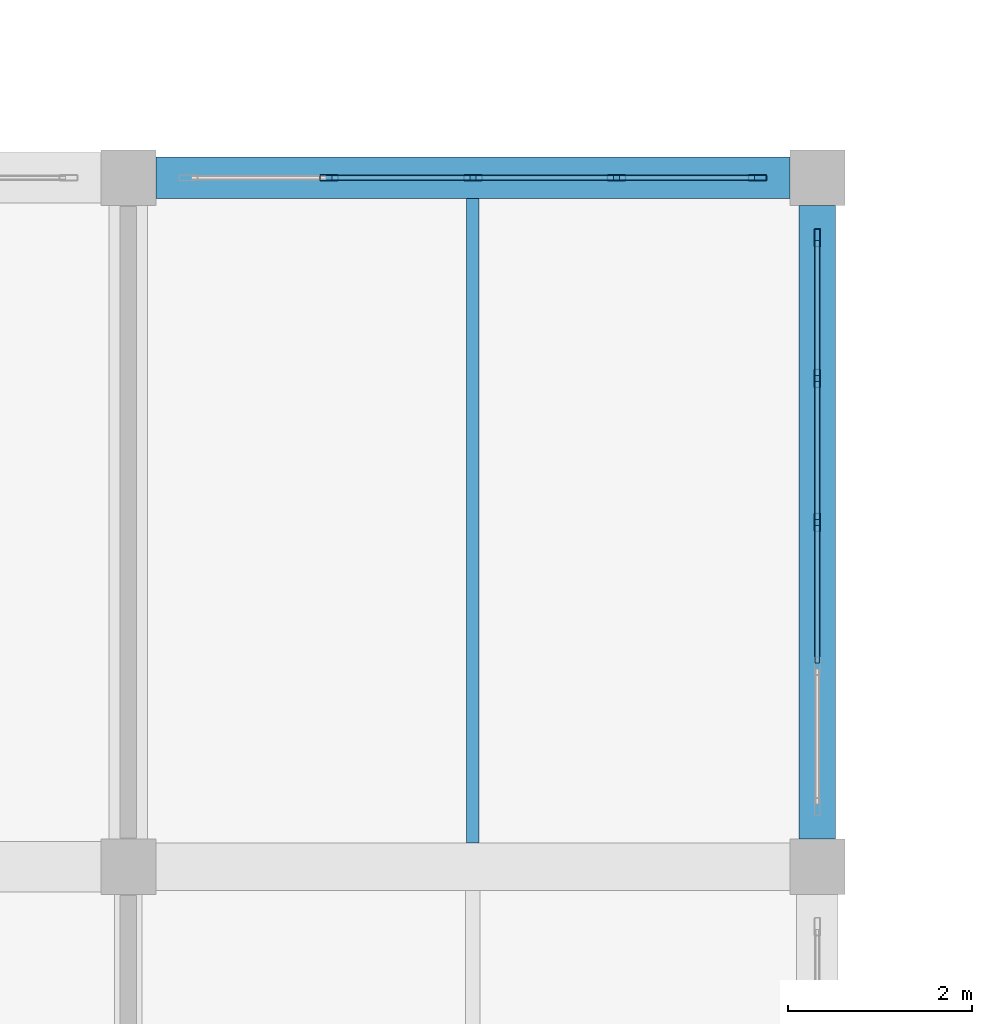
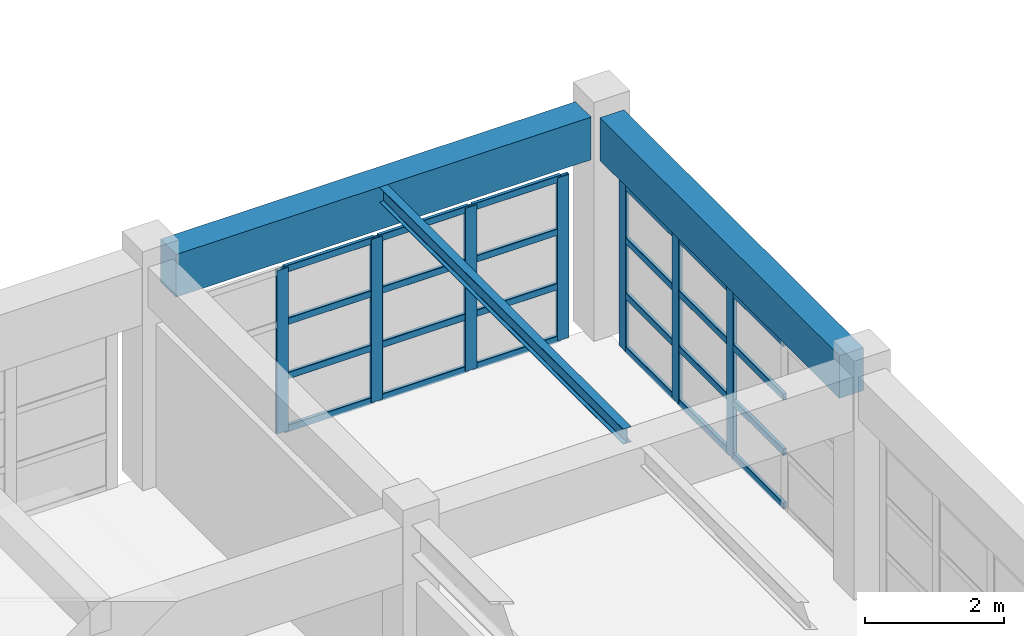
# One storey, part 26 of 124: 31 members, 3 beams, 2 elements without a shape of their own.
"""IFC4 building model written with IfcOpenShell, lengths in metres."""

from ifc_helpers import new_model, si_unit, direction, frame, origin, origin_2d, place, context, subcontext, project, spatial, rectangle, hollow_rectangle, i_section, extrude, material, material_profile, profile_set, type_object, element, aggregate, save


model = new_model("IFC4")

# Units and contexts
model_context = context("Model", 3, precision=1e-05, world=origin(), true_north=direction((0.0, 1.0)))
body_context = subcontext(model_context, "Body", "Model", "MODEL_VIEW")
ifc_project = project(units=[si_unit("LENGTHUNIT", "METRE"), si_unit("AREAUNIT", "SQUARE_METRE"), si_unit("VOLUMEUNIT", "CUBIC_METRE"), si_unit("PLANEANGLEUNIT", "RADIAN"), si_unit("MASSUNIT", "GRAM", prefix="KILO")], contexts=[model_context])

# Site, building, storey
site_placement = place(None, origin())
site = spatial("IfcSite", under=ifc_project, at=site_placement, CompositionType="ELEMENT")
building_placement = place(site_placement, origin())
building = spatial("IfcBuilding", under=site, at=building_placement, Name="Qasida Concert Hall", CompositionType="ELEMENT")
storey_placement = place(building_placement, frame((0.0, 0.0, 9.0)))
storey = spatial("IfcBuildingStorey", under=building, at=storey_placement, Name="L02", CompositionType="ELEMENT", Elevation=9.0)

# Beams
ifc_material_1 = material(Name="Steel S355J2", Category="steel")
ifc_material_profile_1 = material_profile(ifc_material_1, i_section(OverallWidth=0.135009765625, OverallDepth=0.27001953125, WebThickness=0.006591796875, FlangeThickness=0.01025390625, FilletRadius=0.014892578125, at=origin_2d()), Name="IPE 270")
ifc_profile_set_1 = profile_set([ifc_material_profile_1], Name="Steel S355J2")
beam_type_1 = type_object("IfcBeamType", Name="BM-J6", PredefinedType="JOIST", material=ifc_profile_set_1)
beam_1_placement = place(storey_placement, frame((33.75, 45.260009765625, 3.764892578125), z_axis=(0.0, 1.0, 0.0), x_axis=(-1.0, 0.0, 0.0)))
element("IfcBeam", 1, at=beam_1_placement, inside=storey, type_object=beam_type_1, Name="L02 secondary joist 1349", PredefinedType="JOIST", context=body_context, shape_type="SweptSolid", body=[
    extrude(i_section(OverallWidth=0.135009765625, OverallDepth=0.27001953125, WebThickness=0.006591796875, FlangeThickness=0.01025390625, FilletRadius=0.014892578125, at=origin_2d()), origin(), (0.0, 0.0, 1.0), 7.014892578125),
])
ifc_material_2 = material(Name="Concrete C40/50", Category="concrete")
ifc_material_profile_2 = material_profile(ifc_material_2, rectangle(XDim=0.39990234375, YDim=0.75, at=origin_2d()), Name="RC 400x750")
ifc_profile_set_2 = profile_set([ifc_material_profile_2], Name="Concrete C40/50")
beam_type_2 = type_object("IfcBeamType", Name="BM-SP1", PredefinedType="SPANDREL", material=ifc_profile_set_2)
beam_2_placement = place(storey_placement, frame((37.5, 45.300048828125, 3.52490234375), z_axis=(0.0, 1.0, 0.0), x_axis=(-1.0, 0.0, 0.0)))
element("IfcBeam", 2, at=beam_2_placement, inside=storey, type_object=beam_type_2, Name="L02 girder 1320", PredefinedType="SPANDREL", context=body_context, shape_type="SweptSolid", body=[
    extrude(rectangle(XDim=0.39990234375, YDim=0.75, at=origin_2d()), origin(), (0.0, 0.0, 1.0), 6.89990234375),
])
ifc_material_profile_3 = material_profile(ifc_material_2, rectangle(XDim=0.449951171875, YDim=0.75, at=origin_2d()), Name="RC 450x750")
ifc_profile_set_3 = profile_set([ifc_material_profile_3], Name="Concrete C40/50")
beam_type_3 = type_object("IfcBeamType", Name="BM-SP4", PredefinedType="SPANDREL", material=ifc_profile_set_3)
beam_3_placement = place(storey_placement, frame((30.300048828125, 52.5, 3.52490234375), z_axis=(1.0, 0.0, 0.0), x_axis=(0.0, 1.0, 0.0)))
element("IfcBeam", 3, at=beam_3_placement, inside=storey, type_object=beam_type_3, Name="Primary girder 1292", PredefinedType="SPANDREL", context=body_context, shape_type="SweptSolid", body=[
    extrude(rectangle(XDim=0.449951171875, YDim=0.75, at=origin_2d()), origin(), (0.0, 0.0, 1.0), 6.89990234375),
])

# Curtain wall, members
ifc_material_3 = material(Name="Architectural bronze-anodized aluminium and low-E glass", Category="aluminium")
curtain_wall_type = type_object("IfcCurtainWallType", Name="CW-08", PredefinedType="NOTDEFINED", material=ifc_material_3)
curtain_wall_1_placement = place(storey_placement, origin())
curtain_wall_1 = element("IfcCurtainWall", 4, at=curtain_wall_1_placement, inside=storey, type_object=curtain_wall_type, Name="L02 curtain wall CW-08 0108", PredefinedType="NOTDEFINED")
ifc_material_4 = material(Name="Architectural bronze-anodized aluminium EN AW-6063", Category="aluminium")
ifc_material_profile_4 = material_profile(ifc_material_4, hollow_rectangle(XDim=0.06494140625, YDim=0.199951171875, WallThickness=0.0048828125, InnerFilletRadius=0.0048828125, OuterFilletRadius=0.010009765625, at=origin_2d()), Name="CWM 200x65x5")
ifc_profile_set_4 = profile_set([ifc_material_profile_4], Name="Architectural bronze-anodized aluminium EN AW-6063")
member_type_1 = type_object("IfcMemberType", Name="MB-CWM-2", PredefinedType="MULLION", material=ifc_profile_set_4)
member_1_placement = place(storey_placement, frame((32.18505859375, 52.5, 0.0), z_axis=(0.0, 0.0, 1.0), x_axis=(0.0, 1.0, 0.0)))
member_1 = element("IfcMember", 5, at=member_1_placement, type_object=member_type_1, Name="CW-08 mullion 2", PredefinedType="MULLION", context=body_context, shape_type="SweptSolid", body=[
    extrude(hollow_rectangle(XDim=0.06494140625, YDim=0.199951171875, WallThickness=0.0048828125, InnerFilletRadius=0.0048828125, OuterFilletRadius=0.010009765625, at=origin_2d()), origin(), (0.0, 0.0, 1.0), 2.8701171875),
])
member_2_placement = place(storey_placement, frame((33.75, 52.5, 0.0), z_axis=(0.0, 0.0, 1.0), x_axis=(0.0, 1.0, 0.0)))
member_2 = element("IfcMember", 6, at=member_2_placement, type_object=member_type_1, Name="CW-08 mullion 3", PredefinedType="MULLION", context=body_context, shape_type="SweptSolid", body=[
    extrude(hollow_rectangle(XDim=0.06494140625, YDim=0.199951171875, WallThickness=0.0048828125, InnerFilletRadius=0.0048828125, OuterFilletRadius=0.010009765625, at=origin_2d()), origin(), (0.0, 0.0, 1.0), 2.8701171875),
])
member_3_placement = place(storey_placement, frame((35.31494140625, 52.5, 0.0), z_axis=(0.0, 0.0, 1.0), x_axis=(0.0, 1.0, 0.0)))
member_3 = element("IfcMember", 7, at=member_3_placement, type_object=member_type_1, Name="CW-08 mullion 4", PredefinedType="MULLION", context=body_context, shape_type="SweptSolid", body=[
    extrude(hollow_rectangle(XDim=0.06494140625, YDim=0.199951171875, WallThickness=0.0048828125, InnerFilletRadius=0.0048828125, OuterFilletRadius=0.010009765625, at=origin_2d()), origin(), (0.0, 0.0, 1.0), 2.8701171875),
])
member_4_placement = place(storey_placement, frame((36.847412109375, 52.5, 0.0), z_axis=(0.0, 0.0, 1.0), x_axis=(0.0, 1.0, 0.0)))
member_4 = element("IfcMember", 8, at=member_4_placement, type_object=member_type_1, Name="CW-08 mullion 5", PredefinedType="MULLION", context=body_context, shape_type="SweptSolid", body=[
    extrude(hollow_rectangle(XDim=0.06494140625, YDim=0.199951171875, WallThickness=0.0048828125, InnerFilletRadius=0.0048828125, OuterFilletRadius=0.010009765625, at=origin_2d()), origin(), (0.0, 0.0, 1.0), 2.8701171875),
])

curtain_wall_2_placement = place(storey_placement, origin())
curtain_wall_2 = element("IfcCurtainWall", 9, at=curtain_wall_2_placement, inside=storey, type_object=curtain_wall_type, Name="L02 curtain wall CW-08 0116", PredefinedType="NOTDEFINED")
member_5_placement = place(storey_placement, frame((37.5, 48.75, 0.0), z_axis=(0.0, 0.0, 1.0), x_axis=(-1.0, 0.0, 0.0)))
member_5 = element("IfcMember", 10, at=member_5_placement, type_object=member_type_1, Name="CW-08 mullion 3", PredefinedType="MULLION", context=body_context, shape_type="SweptSolid", body=[
    extrude(hollow_rectangle(XDim=0.06494140625, YDim=0.199951171875, WallThickness=0.0048828125, InnerFilletRadius=0.0048828125, OuterFilletRadius=0.010009765625, at=origin_2d()), origin(), (0.0, 0.0, 1.0), 2.919921875),
])
member_6_placement = place(storey_placement, frame((37.5, 50.31494140625, 0.0), z_axis=(0.0, 0.0, 1.0), x_axis=(-1.0, 0.0, 0.0)))
member_6 = element("IfcMember", 11, at=member_6_placement, type_object=member_type_1, Name="CW-08 mullion 4", PredefinedType="MULLION", context=body_context, shape_type="SweptSolid", body=[
    extrude(hollow_rectangle(XDim=0.06494140625, YDim=0.199951171875, WallThickness=0.0048828125, InnerFilletRadius=0.0048828125, OuterFilletRadius=0.010009765625, at=origin_2d()), origin(), (0.0, 0.0, 1.0), 2.919921875),
])
member_7_placement = place(storey_placement, frame((37.5, 51.847412109375, 0.0), z_axis=(0.0, 0.0, 1.0), x_axis=(-1.0, 0.0, 0.0)))
member_7 = element("IfcMember", 12, at=member_7_placement, type_object=member_type_1, Name="CW-08 mullion 5", PredefinedType="MULLION", context=body_context, shape_type="SweptSolid", body=[
    extrude(hollow_rectangle(XDim=0.06494140625, YDim=0.199951171875, WallThickness=0.0048828125, InnerFilletRadius=0.0048828125, OuterFilletRadius=0.010009765625, at=origin_2d()), origin(), (0.0, 0.0, 1.0), 2.919921875),
])

# Member
ifc_material_profile_5 = material_profile(ifc_material_4, hollow_rectangle(XDim=0.06005859375, YDim=0.1201171875, WallThickness=0.00390625, InnerFilletRadius=0.00390625, OuterFilletRadius=0.008056640625, at=origin_2d()), Name="CWT 120x60x4")
ifc_profile_set_5 = profile_set([ifc_material_profile_5], Name="Architectural bronze-anodized aluminium EN AW-6063")
member_type_2 = type_object("IfcMemberType", Name="MB-CWT-2", PredefinedType="USERDEFINED", material=ifc_profile_set_5)
member_8_placement = place(storey_placement, frame((32.217529296875, 52.5, 0.030029296875), z_axis=(1.0, 0.0, 0.0), x_axis=(0.0, 1.0, 0.0)))
member_8 = element("IfcMember", 13, at=member_8_placement, type_object=member_type_2, Name="CW-08 transom 2.1", ObjectType="TRANSOM", PredefinedType="USERDEFINED", context=body_context, shape_type="SweptSolid", body=[
    extrude(hollow_rectangle(XDim=0.06005859375, YDim=0.1201171875, WallThickness=0.00390625, InnerFilletRadius=0.00390625, OuterFilletRadius=0.008056640625, at=origin_2d()), origin(), (0.0, 0.0, 1.0), 1.5),
])

member_9_placement = place(storey_placement, frame((32.217529296875, 52.5, 0.956787109375), z_axis=(1.0, 0.0, 0.0), x_axis=(0.0, 1.0, 0.0)))
member_9 = element("IfcMember", 14, at=member_9_placement, type_object=member_type_2, Name="CW-08 transom 2.2", ObjectType="TRANSOM", PredefinedType="USERDEFINED", context=body_context, shape_type="SweptSolid", body=[
    extrude(hollow_rectangle(XDim=0.06005859375, YDim=0.1201171875, WallThickness=0.00390625, InnerFilletRadius=0.00390625, OuterFilletRadius=0.008056640625, at=origin_2d()), origin(), (0.0, 0.0, 1.0), 1.5),
])

member_10_placement = place(storey_placement, frame((32.217529296875, 52.5, 1.913330078125), z_axis=(1.0, 0.0, 0.0), x_axis=(0.0, 1.0, 0.0)))
member_10 = element("IfcMember", 15, at=member_10_placement, type_object=member_type_2, Name="CW-08 transom 2.3", ObjectType="TRANSOM", PredefinedType="USERDEFINED", context=body_context, shape_type="SweptSolid", body=[
    extrude(hollow_rectangle(XDim=0.06005859375, YDim=0.1201171875, WallThickness=0.00390625, InnerFilletRadius=0.00390625, OuterFilletRadius=0.008056640625, at=origin_2d()), origin(), (0.0, 0.0, 1.0), 1.5),
])

member_11_placement = place(storey_placement, frame((32.217529296875, 52.5, 2.840087890625), z_axis=(1.0, 0.0, 0.0), x_axis=(0.0, 1.0, 0.0)))
member_11 = element("IfcMember", 16, at=member_11_placement, type_object=member_type_2, Name="CW-08 transom 2.4", ObjectType="TRANSOM", PredefinedType="USERDEFINED", context=body_context, shape_type="SweptSolid", body=[
    extrude(hollow_rectangle(XDim=0.06005859375, YDim=0.1201171875, WallThickness=0.00390625, InnerFilletRadius=0.00390625, OuterFilletRadius=0.008056640625, at=origin_2d()), origin(), (0.0, 0.0, 1.0), 1.5),
])

member_12_placement = place(storey_placement, frame((33.782470703125, 52.5, 0.030029296875), z_axis=(1.0, 0.0, 0.0), x_axis=(0.0, 1.0, 0.0)))
member_12 = element("IfcMember", 17, at=member_12_placement, type_object=member_type_2, Name="CW-08 transom 3.1", ObjectType="TRANSOM", PredefinedType="USERDEFINED", context=body_context, shape_type="SweptSolid", body=[
    extrude(hollow_rectangle(XDim=0.06005859375, YDim=0.1201171875, WallThickness=0.00390625, InnerFilletRadius=0.00390625, OuterFilletRadius=0.008056640625, at=origin_2d()), origin(), (0.0, 0.0, 1.0), 1.5),
])

member_13_placement = place(storey_placement, frame((33.782470703125, 52.5, 0.956787109375), z_axis=(1.0, 0.0, 0.0), x_axis=(0.0, 1.0, 0.0)))
member_13 = element("IfcMember", 18, at=member_13_placement, type_object=member_type_2, Name="CW-08 transom 3.2", ObjectType="TRANSOM", PredefinedType="USERDEFINED", context=body_context, shape_type="SweptSolid", body=[
    extrude(hollow_rectangle(XDim=0.06005859375, YDim=0.1201171875, WallThickness=0.00390625, InnerFilletRadius=0.00390625, OuterFilletRadius=0.008056640625, at=origin_2d()), origin(), (0.0, 0.0, 1.0), 1.5),
])

member_14_placement = place(storey_placement, frame((33.782470703125, 52.5, 1.913330078125), z_axis=(1.0, 0.0, 0.0), x_axis=(0.0, 1.0, 0.0)))
member_14 = element("IfcMember", 19, at=member_14_placement, type_object=member_type_2, Name="CW-08 transom 3.3", ObjectType="TRANSOM", PredefinedType="USERDEFINED", context=body_context, shape_type="SweptSolid", body=[
    extrude(hollow_rectangle(XDim=0.06005859375, YDim=0.1201171875, WallThickness=0.00390625, InnerFilletRadius=0.00390625, OuterFilletRadius=0.008056640625, at=origin_2d()), origin(), (0.0, 0.0, 1.0), 1.5),
])

member_15_placement = place(storey_placement, frame((33.782470703125, 52.5, 2.840087890625), z_axis=(1.0, 0.0, 0.0), x_axis=(0.0, 1.0, 0.0)))
member_15 = element("IfcMember", 20, at=member_15_placement, type_object=member_type_2, Name="CW-08 transom 3.4", ObjectType="TRANSOM", PredefinedType="USERDEFINED", context=body_context, shape_type="SweptSolid", body=[
    extrude(hollow_rectangle(XDim=0.06005859375, YDim=0.1201171875, WallThickness=0.00390625, InnerFilletRadius=0.00390625, OuterFilletRadius=0.008056640625, at=origin_2d()), origin(), (0.0, 0.0, 1.0), 1.5),
])

member_16_placement = place(storey_placement, frame((35.347412109375, 52.5, 0.030029296875), z_axis=(1.0, 0.0, 0.0), x_axis=(0.0, 1.0, 0.0)))
member_16 = element("IfcMember", 21, at=member_16_placement, type_object=member_type_2, Name="CW-08 transom 4.1", ObjectType="TRANSOM", PredefinedType="USERDEFINED", context=body_context, shape_type="SweptSolid", body=[
    extrude(hollow_rectangle(XDim=0.06005859375, YDim=0.1201171875, WallThickness=0.00390625, InnerFilletRadius=0.00390625, OuterFilletRadius=0.008056640625, at=origin_2d()), origin(), (0.0, 0.0, 1.0), 1.467529296875),
])

member_17_placement = place(storey_placement, frame((35.347412109375, 52.5, 0.956787109375), z_axis=(1.0, 0.0, 0.0), x_axis=(0.0, 1.0, 0.0)))
member_17 = element("IfcMember", 22, at=member_17_placement, type_object=member_type_2, Name="CW-08 transom 4.2", ObjectType="TRANSOM", PredefinedType="USERDEFINED", context=body_context, shape_type="SweptSolid", body=[
    extrude(hollow_rectangle(XDim=0.06005859375, YDim=0.1201171875, WallThickness=0.00390625, InnerFilletRadius=0.00390625, OuterFilletRadius=0.008056640625, at=origin_2d()), origin(), (0.0, 0.0, 1.0), 1.467529296875),
])

member_18_placement = place(storey_placement, frame((35.347412109375, 52.5, 1.913330078125), z_axis=(1.0, 0.0, 0.0), x_axis=(0.0, 1.0, 0.0)))
member_18 = element("IfcMember", 23, at=member_18_placement, type_object=member_type_2, Name="CW-08 transom 4.3", ObjectType="TRANSOM", PredefinedType="USERDEFINED", context=body_context, shape_type="SweptSolid", body=[
    extrude(hollow_rectangle(XDim=0.06005859375, YDim=0.1201171875, WallThickness=0.00390625, InnerFilletRadius=0.00390625, OuterFilletRadius=0.008056640625, at=origin_2d()), origin(), (0.0, 0.0, 1.0), 1.467529296875),
])

member_19_placement = place(storey_placement, frame((35.347412109375, 52.5, 2.840087890625), z_axis=(1.0, 0.0, 0.0), x_axis=(0.0, 1.0, 0.0)))
member_19 = element("IfcMember", 24, at=member_19_placement, type_object=member_type_2, Name="CW-08 transom 4.4", ObjectType="TRANSOM", PredefinedType="USERDEFINED", context=body_context, shape_type="SweptSolid", body=[
    extrude(hollow_rectangle(XDim=0.06005859375, YDim=0.1201171875, WallThickness=0.00390625, InnerFilletRadius=0.00390625, OuterFilletRadius=0.008056640625, at=origin_2d()), origin(), (0.0, 0.0, 1.0), 1.467529296875),
])

aggregate(curtain_wall_1, [member_1, member_2, member_3, member_4, member_8, member_9, member_10, member_11, member_12, member_13, member_14, member_15, member_16, member_17, member_18, member_19])

member_20_placement = place(storey_placement, frame((37.5, 47.217529296875, 0.030029296875), z_axis=(0.0, 1.0, 0.0), x_axis=(-1.0, 0.0, 0.0)))
member_20 = element("IfcMember", 25, at=member_20_placement, type_object=member_type_2, Name="CW-08 transom 2.1", ObjectType="TRANSOM", PredefinedType="USERDEFINED", context=body_context, shape_type="SweptSolid", body=[
    extrude(hollow_rectangle(XDim=0.06005859375, YDim=0.1201171875, WallThickness=0.00390625, InnerFilletRadius=0.00390625, OuterFilletRadius=0.008056640625, at=origin_2d()), origin(), (0.0, 0.0, 1.0), 1.5),
])

member_21_placement = place(storey_placement, frame((37.5, 47.217529296875, 0.973388671875), z_axis=(0.0, 1.0, 0.0), x_axis=(-1.0, 0.0, 0.0)))
member_21 = element("IfcMember", 26, at=member_21_placement, type_object=member_type_2, Name="CW-08 transom 2.2", ObjectType="TRANSOM", PredefinedType="USERDEFINED", context=body_context, shape_type="SweptSolid", body=[
    extrude(hollow_rectangle(XDim=0.06005859375, YDim=0.1201171875, WallThickness=0.00390625, InnerFilletRadius=0.00390625, OuterFilletRadius=0.008056640625, at=origin_2d()), origin(), (0.0, 0.0, 1.0), 1.5),
])

member_22_placement = place(storey_placement, frame((37.5, 47.217529296875, 1.94677734375), z_axis=(0.0, 1.0, 0.0), x_axis=(-1.0, 0.0, 0.0)))
member_22 = element("IfcMember", 27, at=member_22_placement, type_object=member_type_2, Name="CW-08 transom 2.3", ObjectType="TRANSOM", PredefinedType="USERDEFINED", context=body_context, shape_type="SweptSolid", body=[
    extrude(hollow_rectangle(XDim=0.06005859375, YDim=0.1201171875, WallThickness=0.00390625, InnerFilletRadius=0.00390625, OuterFilletRadius=0.008056640625, at=origin_2d()), origin(), (0.0, 0.0, 1.0), 1.5),
])

member_23_placement = place(storey_placement, frame((37.5, 47.217529296875, 2.889892578125), z_axis=(0.0, 1.0, 0.0), x_axis=(-1.0, 0.0, 0.0)))
member_23 = element("IfcMember", 28, at=member_23_placement, type_object=member_type_2, Name="CW-08 transom 2.4", ObjectType="TRANSOM", PredefinedType="USERDEFINED", context=body_context, shape_type="SweptSolid", body=[
    extrude(hollow_rectangle(XDim=0.06005859375, YDim=0.1201171875, WallThickness=0.00390625, InnerFilletRadius=0.00390625, OuterFilletRadius=0.008056640625, at=origin_2d()), origin(), (0.0, 0.0, 1.0), 1.5),
])

member_24_placement = place(storey_placement, frame((37.5, 48.782470703125, 0.030029296875), z_axis=(0.0, 1.0, 0.0), x_axis=(-1.0, 0.0, 0.0)))
member_24 = element("IfcMember", 29, at=member_24_placement, type_object=member_type_2, Name="CW-08 transom 3.1", ObjectType="TRANSOM", PredefinedType="USERDEFINED", context=body_context, shape_type="SweptSolid", body=[
    extrude(hollow_rectangle(XDim=0.06005859375, YDim=0.1201171875, WallThickness=0.00390625, InnerFilletRadius=0.00390625, OuterFilletRadius=0.008056640625, at=origin_2d()), origin(), (0.0, 0.0, 1.0), 1.5),
])

member_25_placement = place(storey_placement, frame((37.5, 48.782470703125, 0.973388671875), z_axis=(0.0, 1.0, 0.0), x_axis=(-1.0, 0.0, 0.0)))
member_25 = element("IfcMember", 30, at=member_25_placement, type_object=member_type_2, Name="CW-08 transom 3.2", ObjectType="TRANSOM", PredefinedType="USERDEFINED", context=body_context, shape_type="SweptSolid", body=[
    extrude(hollow_rectangle(XDim=0.06005859375, YDim=0.1201171875, WallThickness=0.00390625, InnerFilletRadius=0.00390625, OuterFilletRadius=0.008056640625, at=origin_2d()), origin(), (0.0, 0.0, 1.0), 1.5),
])

member_26_placement = place(storey_placement, frame((37.5, 48.782470703125, 1.94677734375), z_axis=(0.0, 1.0, 0.0), x_axis=(-1.0, 0.0, 0.0)))
member_26 = element("IfcMember", 31, at=member_26_placement, type_object=member_type_2, Name="CW-08 transom 3.3", ObjectType="TRANSOM", PredefinedType="USERDEFINED", context=body_context, shape_type="SweptSolid", body=[
    extrude(hollow_rectangle(XDim=0.06005859375, YDim=0.1201171875, WallThickness=0.00390625, InnerFilletRadius=0.00390625, OuterFilletRadius=0.008056640625, at=origin_2d()), origin(), (0.0, 0.0, 1.0), 1.5),
])

member_27_placement = place(storey_placement, frame((37.5, 48.782470703125, 2.889892578125), z_axis=(0.0, 1.0, 0.0), x_axis=(-1.0, 0.0, 0.0)))
member_27 = element("IfcMember", 32, at=member_27_placement, type_object=member_type_2, Name="CW-08 transom 3.4", ObjectType="TRANSOM", PredefinedType="USERDEFINED", context=body_context, shape_type="SweptSolid", body=[
    extrude(hollow_rectangle(XDim=0.06005859375, YDim=0.1201171875, WallThickness=0.00390625, InnerFilletRadius=0.00390625, OuterFilletRadius=0.008056640625, at=origin_2d()), origin(), (0.0, 0.0, 1.0), 1.5),
])

member_28_placement = place(storey_placement, frame((37.5, 50.347412109375, 0.030029296875), z_axis=(0.0, 1.0, 0.0), x_axis=(-1.0, 0.0, 0.0)))
member_28 = element("IfcMember", 33, at=member_28_placement, type_object=member_type_2, Name="CW-08 transom 4.1", ObjectType="TRANSOM", PredefinedType="USERDEFINED", context=body_context, shape_type="SweptSolid", body=[
    extrude(hollow_rectangle(XDim=0.06005859375, YDim=0.1201171875, WallThickness=0.00390625, InnerFilletRadius=0.00390625, OuterFilletRadius=0.008056640625, at=origin_2d()), origin(), (0.0, 0.0, 1.0), 1.467529296875),
])

member_29_placement = place(storey_placement, frame((37.5, 50.347412109375, 0.973388671875), z_axis=(0.0, 1.0, 0.0), x_axis=(-1.0, 0.0, 0.0)))
member_29 = element("IfcMember", 34, at=member_29_placement, type_object=member_type_2, Name="CW-08 transom 4.2", ObjectType="TRANSOM", PredefinedType="USERDEFINED", context=body_context, shape_type="SweptSolid", body=[
    extrude(hollow_rectangle(XDim=0.06005859375, YDim=0.1201171875, WallThickness=0.00390625, InnerFilletRadius=0.00390625, OuterFilletRadius=0.008056640625, at=origin_2d()), origin(), (0.0, 0.0, 1.0), 1.467529296875),
])

member_30_placement = place(storey_placement, frame((37.5, 50.347412109375, 1.94677734375), z_axis=(0.0, 1.0, 0.0), x_axis=(-1.0, 0.0, 0.0)))
member_30 = element("IfcMember", 35, at=member_30_placement, type_object=member_type_2, Name="CW-08 transom 4.3", ObjectType="TRANSOM", PredefinedType="USERDEFINED", context=body_context, shape_type="SweptSolid", body=[
    extrude(hollow_rectangle(XDim=0.06005859375, YDim=0.1201171875, WallThickness=0.00390625, InnerFilletRadius=0.00390625, OuterFilletRadius=0.008056640625, at=origin_2d()), origin(), (0.0, 0.0, 1.0), 1.467529296875),
])

member_31_placement = place(storey_placement, frame((37.5, 50.347412109375, 2.889892578125), z_axis=(0.0, 1.0, 0.0), x_axis=(-1.0, 0.0, 0.0)))
member_31 = element("IfcMember", 36, at=member_31_placement, type_object=member_type_2, Name="CW-08 transom 4.4", ObjectType="TRANSOM", PredefinedType="USERDEFINED", context=body_context, shape_type="SweptSolid", body=[
    extrude(hollow_rectangle(XDim=0.06005859375, YDim=0.1201171875, WallThickness=0.00390625, InnerFilletRadius=0.00390625, OuterFilletRadius=0.008056640625, at=origin_2d()), origin(), (0.0, 0.0, 1.0), 1.467529296875),
])

aggregate(curtain_wall_2, [member_5, member_6, member_7, member_20, member_21, member_22, member_23, member_24, member_25, member_26, member_27, member_28, member_29, member_30, member_31])

save(model, "model.ifc")
